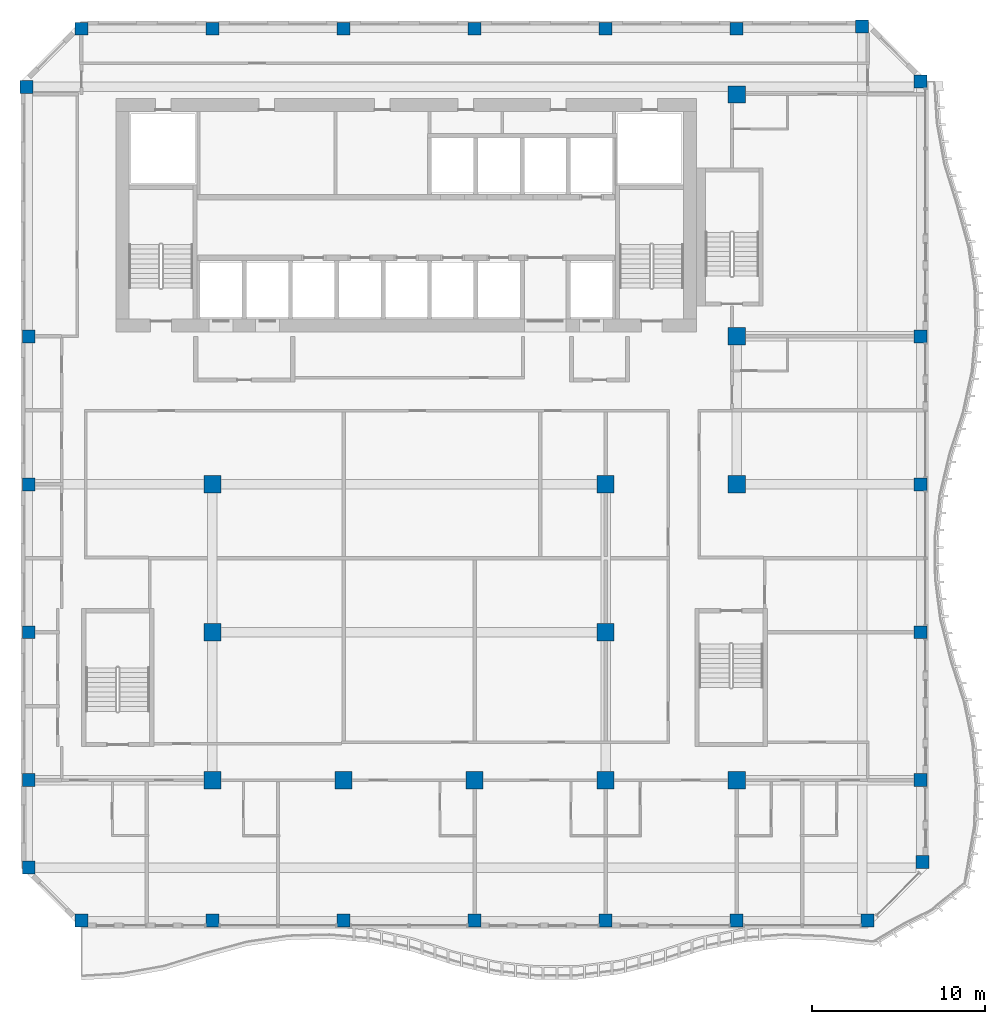
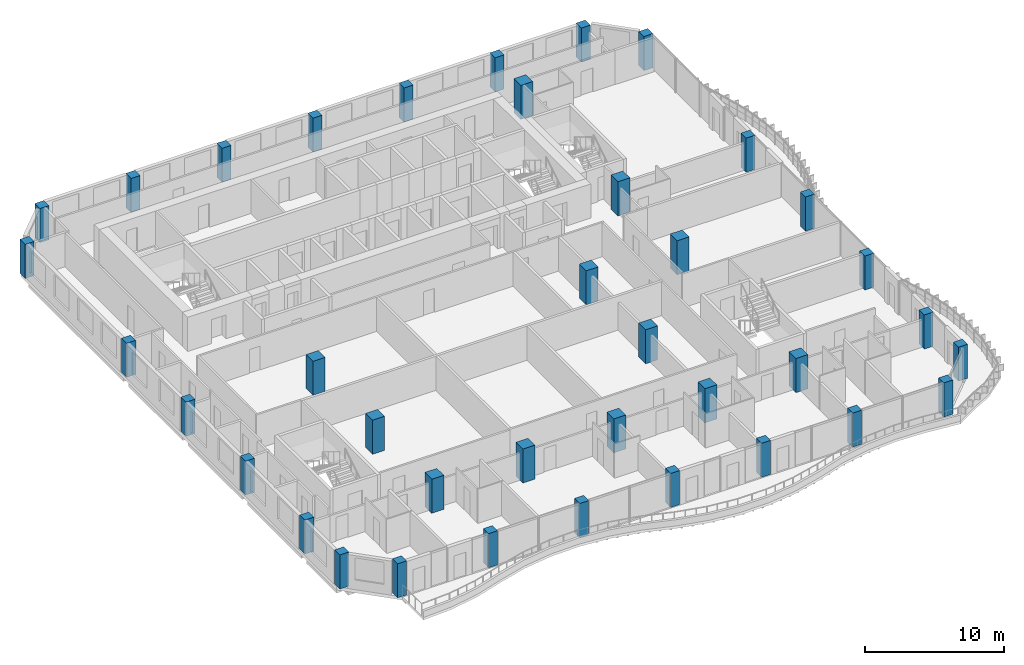
# One storey, part 1 of 22: 38 columns.
"""IFC4 building model written with IfcOpenShell, lengths in metres."""

from ifc_helpers import new_model, si_unit, direction, frame, origin, origin_2d, place, context, subcontext, project, spatial, rectangle, extrude, source, transform, mapped, material, material_profile, profile_set, type_object, element, save


model = new_model("IFC4")

# Units and contexts
model_context = context("Model", 3, precision=1e-05, world=origin(), true_north=direction((0.0, 1.0)))
body_context = subcontext(model_context, "Body", "Model", "MODEL_VIEW")
ifc_project = project(units=[si_unit("LENGTHUNIT", "METRE"), si_unit("AREAUNIT", "SQUARE_METRE"), si_unit("VOLUMEUNIT", "CUBIC_METRE"), si_unit("PLANEANGLEUNIT", "RADIAN"), si_unit("MASSUNIT", "GRAM", prefix="KILO")], contexts=[model_context])

# Site, building, storey
site_placement = place(None, origin())
site = spatial("IfcSite", under=ifc_project, at=site_placement, CompositionType="ELEMENT")
building_placement = place(site_placement, origin())
building = spatial("IfcBuilding", under=site, at=building_placement, Name="Kilnfold Tower and Market Hall", CompositionType="ELEMENT")
storey_placement = place(building_placement, frame((0.0, 0.0, 220.300048828125)))
storey = spatial("IfcBuildingStorey", under=building, at=storey_placement, Name="L54", CompositionType="ELEMENT", Elevation=220.300048828125)

# Columns
ifc_material_1 = material(Name="Concrete C70", Category="concrete")
ifc_material_profile_1 = material_profile(ifc_material_1, rectangle(XDim=0.75, YDim=0.75, at=origin_2d()), Name="RC 750x750")
ifc_profile_set_1 = profile_set([ifc_material_profile_1], Name="Concrete C70")
column_type_1 = type_object("IfcColumnType", Name="COLUMN 750X750 C70", PredefinedType="COLUMN", material=ifc_profile_set_1)
shared_shape_1 = source(origin(), body_context, "Body", "SweptSolid", [
    extrude(rectangle(XDim=0.75, YDim=0.75, at=origin_2d()), origin(), (0.0, 0.0, 1.0), 3.0),
])
for number, where, z_axis, x_axis, name in (
    (1, (-20.931884765625, 22.431884765625, 0.0), (0.0, 0.0, 1.0), (1.0, 0.0, 0.0), "Column C-B6-1H"),
    (2, (-20.800048828125, -22.75, 0.0), (0.0, 0.0, 1.0), (1.0, 0.0, 0.0), "Column C-B6-1B"),
    (3, (-20.800048828125, -17.6875, 0.0), (0.0, 0.0, 1.0), (1.0, 0.0, 0.0), "Column C-B6-1C"),
    (4, (-20.800048828125, -9.125, 0.0), (0.0, 0.0, 1.0), (1.0, 0.0, 0.0), "Column C-B6-1D"),
    (5, (-20.800048828125, -0.5625, 0.0), (0.0, 0.0, 1.0), (1.0, 0.0, 0.0), "Column C-B6-1E"),
    (6, (-20.800048828125, 8.0, 0.0), (0.0, 0.0, 1.0), (1.0, 0.0, 0.0), "Column C-B6-1F"),
    (7, (-17.75, -25.800048828125, 0.0), (0.0, 0.0, 1.0), (1.0, 0.0, 0.0), "Column C-B6-2A"),
    (8, (-17.75, 25.800048828125, 0.0), (0.0, 0.0, 1.0), (1.0, 0.0, 0.0), "Column C-B6-2I"),
    (9, (-10.166748046875, -25.800048828125, 0.0), (0.0, 0.0, 1.0), (1.0, 0.0, 0.0), "Column C-B6-3A"),
    (10, (-10.166748046875, 25.800048828125, 0.0), (0.0, 0.0, 1.0), (1.0, 0.0, 0.0), "Column C-B6-3I"),
    (11, (-2.583251953125, -25.800048828125, 0.0), (0.0, 0.0, 1.0), (1.0, 0.0, 0.0), "Column C-B6-4A"),
    (12, (-2.583251953125, 25.800048828125, 0.0), (0.0, 0.0, 1.0), (1.0, 0.0, 0.0), "Column C-B6-4I"),
    (13, (5.0, -25.800048828125, 0.0), (0.0, 0.0, 1.0), (1.0, 0.0, 0.0), "Column C-B6-5A"),
    (14, (5.0, 25.800048828125, 0.0), (0.0, 0.0, 1.0), (1.0, 0.0, 0.0), "Column C-B6-5I"),
    (15, (12.583251953125, -25.800048828125, 0.0), (0.0, 0.0, 1.0), (1.0, 0.0, 0.0), "Column C-B6-6A"),
    (16, (12.583251953125, 25.800048828125, 0.0), (0.0, 0.0, 1.0), (1.0, 0.0, 0.0), "Column C-B6-6I"),
    (17, (20.166748046875, -25.800048828125, 0.0), (0.0, 0.0, 1.0), (1.0, 0.0, 0.0), "Column C-B6-7A"),
    (18, (20.166748046875, 25.800048828125, 0.0), (0.0, 0.0, 1.0), (1.0, 0.0, 0.0), "Column C-B6-7I"),
    (19, (27.431884765625, 25.931884765625, 0.0), (0.0, 0.0, 1.0), (1.0, 0.0, 0.0), "Column C-B6-8I"),
    (20, (27.75, -25.800048828125, 0.0), (0.0, 0.0, 1.0), (1.0, 0.0, 0.0), "Column C-B6-8A"),
    (21, (30.800048828125, -17.6875, 0.0), (0.0, 0.0, 1.0), (1.0, 0.0, 0.0), "Column C-B6-9C"),
    (22, (30.800048828125, -9.125, 0.0), (0.0, 0.0, 1.0), (1.0, 0.0, 0.0), "Column C-B6-9D"),
    (23, (30.800048828125, -0.5625, 0.0), (0.0, 0.0, 1.0), (1.0, 0.0, 0.0), "Column C-B6-9E"),
    (24, (30.800048828125, 8.0, 0.0), (0.0, 0.0, 1.0), (1.0, 0.0, 0.0), "Column C-B6-9F"),
    (25, (30.800048828125, 22.75, 0.0), (0.0, 0.0, 1.0), (1.0, 0.0, 0.0), "Column C-B6-9H"),
    (26, (30.931884765625, -22.431884765625, 0.0), (0.0, 0.0, 1.0), (1.0, 0.0, 0.0), "Column C-B6-9B"),
):
    element("IfcColumn", number, at=place(storey_placement, frame(where, z_axis=z_axis, x_axis=x_axis)), inside=storey, type_object=column_type_1, Name=name, PredefinedType="COLUMN", context=body_context, shape_type="MappedRepresentation", body=[
        mapped(shared_shape_1, transform((0.0, 0.0, 0.0))),
    ])
ifc_material_2 = material(Name="Concrete C70", Category="concrete")
ifc_material_profile_2 = material_profile(ifc_material_2, rectangle(XDim=1.0, YDim=1.0, at=origin_2d()), Name="RC 1000x1000")
ifc_profile_set_2 = profile_set([ifc_material_profile_2], Name="Concrete C70")
column_type_2 = type_object("IfcColumnType", Name="COLUMN 1000X1000 C70", PredefinedType="COLUMN", material=ifc_profile_set_2)
shared_shape_2 = source(origin(), body_context, "Body", "SweptSolid", [
    extrude(rectangle(XDim=1.0, YDim=1.0, at=origin_2d()), origin(), (0.0, 0.0, 1.0), 3.0),
])
for number, where, z_axis, x_axis, name in (
    (27, (-10.166748046875, -17.6875, 0.0), (0.0, 0.0, 1.0), (1.0, 0.0, 0.0), "Column C-B6-3C"),
    (28, (-10.166748046875, -9.125, 0.0), (0.0, 0.0, 1.0), (1.0, 0.0, 0.0), "Column C-B6-3D"),
    (29, (-10.166748046875, -0.5625, 0.0), (0.0, 0.0, 1.0), (1.0, 0.0, 0.0), "Column C-B6-3E"),
    (30, (-2.583251953125, -17.6875, 0.0), (0.0, 0.0, 1.0), (1.0, 0.0, 0.0), "Column C-B6-4C"),
    (31, (5.0, -17.6875, 0.0), (0.0, 0.0, 1.0), (1.0, 0.0, 0.0), "Column C-B6-5C"),
    (32, (12.583251953125, -17.6875, 0.0), (0.0, 0.0, 1.0), (1.0, 0.0, 0.0), "Column C-B6-6C"),
    (33, (12.583251953125, -9.125, 0.0), (0.0, 0.0, 1.0), (1.0, 0.0, 0.0), "Column C-B6-6D"),
    (34, (12.583251953125, -0.5625, 0.0), (0.0, 0.0, 1.0), (1.0, 0.0, 0.0), "Column C-B6-6E"),
    (35, (20.166748046875, -17.6875, 0.0), (0.0, 0.0, 1.0), (1.0, 0.0, 0.0), "Column C-B6-7C"),
    (36, (20.166748046875, -0.5625, 0.0), (0.0, 0.0, 1.0), (1.0, 0.0, 0.0), "Column C-B6-7E"),
    (37, (20.166748046875, 8.0, 0.0), (0.0, 0.0, 1.0), (1.0, 0.0, 0.0), "Column C-B6-7F"),
    (38, (20.166748046875, 22.0, 0.0), (0.0, 0.0, 1.0), (1.0, 0.0, 0.0), "Column C-B6-7G"),
):
    element("IfcColumn", number, at=place(storey_placement, frame(where, z_axis=z_axis, x_axis=x_axis)), inside=storey, type_object=column_type_2, Name=name, PredefinedType="COLUMN", context=body_context, shape_type="MappedRepresentation", body=[
        mapped(shared_shape_2, transform((0.0, 0.0, 0.0))),
    ])

save(model, "model.ifc")
